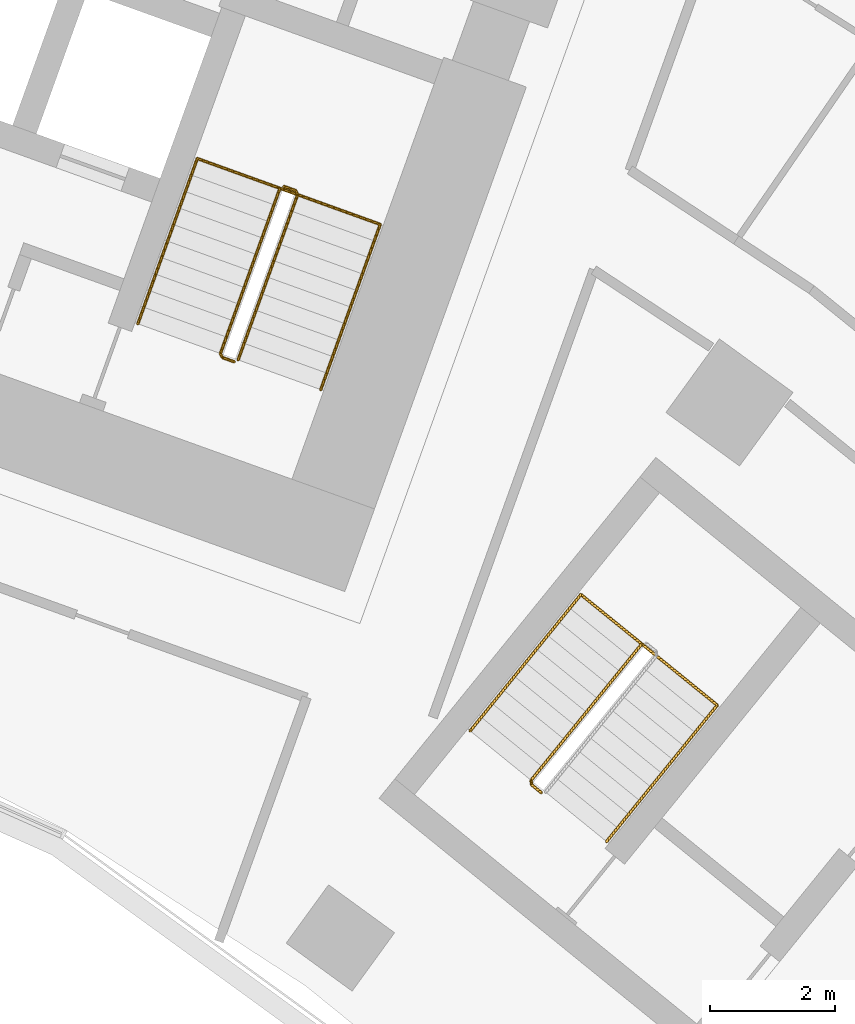
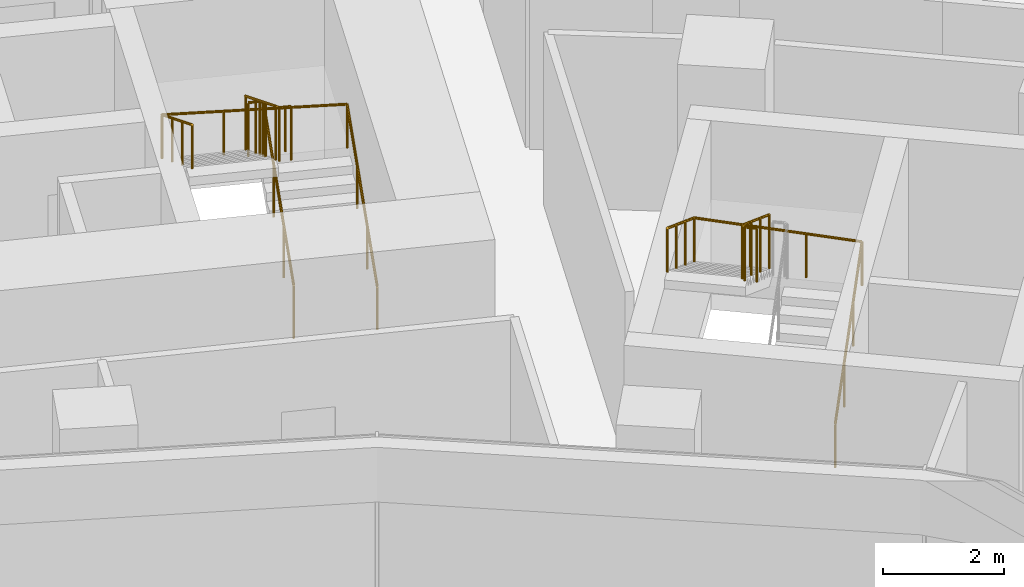
# One storey, part 21 of 21: 5 railings.
"""IFC4 building model written with IfcOpenShell, lengths in metres."""

import ifcopenshell
import ifcopenshell.guid

model = None  # the IFC model being written
_history = None  # IfcOwnerHistory: only IFC2X3 demands one
_inside = {}  # id of a spatial element -> (the spatial element, [elements in it])
_under = {}  # id of a project, library or spatial element -> (it, [spatial elements below it])
_declared = {}  # id of a project -> (the project, [libraries it declares])
_typed = {}  # id of a type object -> (the type object, [elements of that type])
_made_of = {}  # id of a material, layer set ... -> (it, [elements and type objects made of it])


def new_model(schema):
    """Start an empty IFC model of exactly this schema.

    Asked for "IFC4X3", IfcOpenShell would pick the latest addendum, in which some entities
    have other attributes; the version numbers below select the first issue.
    IFC2X3 requires an IfcOwnerHistory on every rooted entity: one is made here for all.
    """
    global model, _history
    if schema == "IFC4X3":
        model = ifcopenshell.file(schema_version=(4, 3, 0, 0))
    else:
        model = ifcopenshell.file(schema=schema)
    _inside.clear()
    _under.clear()
    _declared.clear()
    _typed.clear()
    _made_of.clear()
    _history = None
    if model.schema == "IFC2X3":
        org = make("IfcOrganization", Name="unknown")
        user = make(
            "IfcPersonAndOrganization",
            ThePerson=make("IfcPerson", FamilyName="unknown"),
            TheOrganization=org,
        )
        app = make(
            "IfcApplication",
            ApplicationDeveloper=org,
            Version="unknown",
            ApplicationFullName="unknown",
            ApplicationIdentifier="unknown",
        )
        _history = make(
            "IfcOwnerHistory",
            OwningUser=user,
            OwningApplication=app,
            ChangeAction="ADDED",
            CreationDate=0,
        )
    return model


def make(cls, **values):
    """One entity of the class cls with the attributes given. An attribute that is None is left unset."""
    return model.create_entity(
        cls, **{name: value for name, value in values.items() if value is not None}
    )


def rooted(cls, **values):
    """An entity with a GlobalId (a new one), such as an element, a storey or a relation."""
    return make(cls, GlobalId=ifcopenshell.guid.new(), OwnerHistory=_history, **values)


def si_unit(unit_type, name, prefix=None):
    """IfcSIUnit, for example si_unit("LENGTHUNIT", "METRE", prefix="MILLI")."""
    return make("IfcSIUnit", UnitType=unit_type, Prefix=prefix, Name=name)


def assignment(units):
    """IfcUnitAssignment: the units of a project."""
    return None if units is None else make("IfcUnitAssignment", Units=units)


def point(xyz):
    """IfcCartesianPoint."""
    return None if xyz is None else make("IfcCartesianPoint", Coordinates=xyz)


def direction(xyz):
    """IfcDirection."""
    return None if xyz is None else make("IfcDirection", DirectionRatios=xyz)


def frame(location, z_axis=None, x_axis=None):
    """IfcAxis2Placement3D, a coordinate frame: its origin and axes. An axis left out is left unset."""
    return make(
        "IfcAxis2Placement3D",
        Location=point(location),
        Axis=direction(z_axis),
        RefDirection=direction(x_axis),
    )


def frame_2d(location, x_axis=None):
    """IfcAxis2Placement2D, a coordinate frame in the plane: its origin and x axis."""
    return make(
        "IfcAxis2Placement2D", Location=point(location), RefDirection=direction(x_axis)
    )


def origin():
    """The frame at (0, 0, 0) with its axes left unset."""
    return frame((0.0, 0.0, 0.0))


def origin_2d():
    """The frame at (0, 0) in the plane with its x axis left unset."""
    return frame_2d((0.0, 0.0))


def place(relative_to, where):
    """IfcLocalPlacement: puts the frame where relative to a parent placement (None: the world)."""
    return make(
        "IfcLocalPlacement", PlacementRelTo=relative_to, RelativePlacement=where
    )


def context(
    kind, dimensions, precision=None, world=None, true_north=None, identifier=None
):
    """IfcGeometricRepresentationContext, for example the 3D "Model" context."""
    return make(
        "IfcGeometricRepresentationContext",
        ContextIdentifier=identifier,
        ContextType=kind,
        CoordinateSpaceDimension=dimensions,
        Precision=precision,
        WorldCoordinateSystem=world,
        TrueNorth=true_north,
    )


def subcontext(parent, identifier, kind, view, scale=None):
    """IfcGeometricRepresentationSubContext, for example "Body" below "Model"."""
    return make(
        "IfcGeometricRepresentationSubContext",
        ContextIdentifier=identifier,
        ContextType=kind,
        ParentContext=parent,
        TargetScale=scale,
        TargetView=view,
    )


def project(units=None, contexts=None):
    """IfcProject with its units and contexts."""
    return rooted(
        "IfcProject",
        Name="project",
        RepresentationContexts=contexts,
        UnitsInContext=assignment(units),
    )


def spatial(cls, under=None, at=None, **own):
    """A site, building, storey or space (cls), placed at a placement, below another one or the project."""
    s = rooted(cls, ObjectPlacement=at, **own)
    if under is not None:
        _under.setdefault(under.id(), (under, []))[1].append(s)
    return s


def profile(cls, at=None, kind="AREA", **sizes):
    """A parametric profile (cls). Its sizes go by their IFC names, for example OverallWidth=200.0."""
    return make(cls, ProfileType=kind, Position=at, **sizes)


def circle(**sizes):
    """IfcCircleProfileDef."""
    return profile("IfcCircleProfileDef", **sizes)


def extrude(swept, where, along, depth):
    """IfcExtrudedAreaSolid: the profile swept, set in the frame where, extruded along a direction by depth."""
    return make(
        "IfcExtrudedAreaSolid",
        SweptArea=swept,
        Position=where,
        ExtrudedDirection=direction(along),
        Depth=depth,
    )


def shape(context_of_items, identifier, shape_type, items):
    """IfcShapeRepresentation: the items that make up one representation, for example the "Body"."""
    return make(
        "IfcShapeRepresentation",
        ContextOfItems=context_of_items,
        RepresentationIdentifier=identifier,
        RepresentationType=shape_type,
        Items=items,
    )


def material(Name=None, Category=None):
    """IfcMaterial."""
    return make("IfcMaterial", Name=Name, Category=Category)


def made_of(thing, what):
    """Note that an element or type object is made of a material, layer set ...; save() writes the relation."""
    if what is not None:
        _made_of.setdefault(what.id(), (what, []))[1].append(thing)
    return thing


def type_object(cls, material=None, **own):
    """A type object (cls), such as IfcWallType, which elements share."""
    return made_of(rooted(cls, **own), material)


def element(
    cls,
    number,
    at=None,
    inside=None,
    cuts=None,
    type_object=None,
    material=None,
    context=None,
    identifier="Body",
    shape_type=None,
    held_by="IfcProductDefinitionShape",
    body=None,
    shapes=None,
    **own,
):
    """One element of the class cls, such as IfcWall. Its Tag is "e" and its number.

    at: its placement. inside: the storey or other place that contains it. cuts: it is an
    opening in that element (IfcRelVoidsElement). A single representation is given by context,
    identifier, shape_type and body (its items); several are given by shapes. held_by: the class
    of the entity that holds the representations. save() writes the other relations.
    """
    e = rooted(cls, Tag="e%d" % number, ObjectPlacement=at, **own)
    if body is not None:
        shapes = [shape(context, identifier, shape_type, body)]
    if shapes is not None:
        e.Representation = make(held_by, Representations=shapes)
    if inside is not None:
        _inside.setdefault(inside.id(), (inside, []))[1].append(e)
    if cuts is not None:
        rooted(
            "IfcRelVoidsElement", RelatingBuildingElement=cuts, RelatedOpeningElement=e
        )
    if type_object is not None:
        _typed.setdefault(type_object.id(), (type_object, []))[1].append(e)
    return made_of(e, material)


def aggregate(whole, parts):
    """IfcRelAggregates: a whole, such as a stair, and the parts it consists of."""
    return rooted("IfcRelAggregates", RelatingObject=whole, RelatedObjects=parts)


def save(model, path):
    """Write the relations noted so far, then the file.

    IfcRelAggregates (storeys below a building ...), IfcRelContainedInSpatialStructure (elements
    in a storey), IfcRelDefinesByType, IfcRelAssociatesMaterial and IfcRelDeclares: one each for
    every whole, place, type object, material and project.
    """
    for whole, parts in _under.values():
        aggregate(whole, parts)
    for where, things in _inside.values():
        rooted(
            "IfcRelContainedInSpatialStructure",
            RelatedElements=things,
            RelatingStructure=where,
        )
    for kind, things in _typed.values():
        rooted("IfcRelDefinesByType", RelatedObjects=things, RelatingType=kind)
    for what, things in _made_of.values():
        rooted("IfcRelAssociatesMaterial", RelatedObjects=things, RelatingMaterial=what)
    for by, libraries in _declared.values():
        rooted("IfcRelDeclares", RelatingContext=by, RelatedDefinitions=libraries)
    model.write(path)


model = new_model("IFC4")

# Units and contexts
model_context = context("Model", 3, precision=1e-05, world=origin(), true_north=direction((0.0, 1.0)))
body_context = subcontext(model_context, "Body", "Model", "MODEL_VIEW")
ifc_project = project(units=[si_unit("LENGTHUNIT", "METRE"), si_unit("AREAUNIT", "SQUARE_METRE"), si_unit("VOLUMEUNIT", "CUBIC_METRE"), si_unit("PLANEANGLEUNIT", "RADIAN"), si_unit("MASSUNIT", "GRAM", prefix="KILO")], contexts=[model_context])

# Site, building, storey
site_placement = place(None, origin())
site = spatial("IfcSite", under=ifc_project, at=site_placement, CompositionType="ELEMENT")
building_placement = place(site_placement, origin())
building = spatial("IfcBuilding", under=site, at=building_placement, Name="Stone Belt Terrace Tower", CompositionType="ELEMENT")
storey_placement = place(building_placement, frame((0.0, 0.0, 113.60009765625)))
storey = spatial("IfcBuildingStorey", under=building, at=storey_placement, Name="L27", CompositionType="ELEMENT", Elevation=113.60009765625)

# Railings
ifc_material = material(Name="Structural steel C345", Category="steel")
railing_type_1 = type_object("IfcRailingType", Name="Stair guard 1100", PredefinedType="GUARDRAIL", material=ifc_material)
railing_1_placement = place(storey_placement, frame((24.494140625, 45.174560546875, 0.172607421875)))
element("IfcRailing", 1, at=railing_1_placement, inside=storey, type_object=railing_type_1, Name="L27 ST1B stair guard 1", PredefinedType="GUARDRAIL", context=body_context, shape_type="SweptSolid", body=[
    extrude(circle(Radius=0.02392578125, at=origin_2d()), frame((0.0, 0.0, 1.076171875), z_axis=(0.288228637646, 0.800791768495, 0.525030280985), x_axis=(-0.940908529223, 0.338660803216, 0.0)), (0.0, 0.0, 1.0), 3.289794921875),
    extrude(circle(Radius=0.02392578125, at=origin_2d()), frame((0.9482421875, 2.634521484375, 2.80322265625), z_axis=(-0.424964916, 0.905209821074, 0.0), x_axis=(-0.905209821074, -0.424964916, 0.0)), (0.0, 0.0, 1.0), 0.070556640625),
    extrude(circle(Radius=0.02392578125, at=origin_2d()), frame((0.918212890625, 2.698486328125, 2.80322265625), z_axis=(-0.941105063269, 0.338114270461, 0.0), x_axis=(-0.338114270461, -0.941105063269, 0.0)), (0.0, 0.0, 1.0), 0.199951171875),
    extrude(circle(Radius=0.02099609375, at=origin_2d()), origin(), (0.0, 0.0, 1.0), 1.052001953125),
    extrude(circle(Radius=0.02099609375, at=origin_2d()), frame((0.316162109375, 0.878173828125, 0.57568359375)), (0.0, 0.0, 1.0), 1.052001953125),
    extrude(circle(Radius=0.02099609375, at=origin_2d()), frame((0.632080078125, 1.75634765625, 1.151611328125)), (0.0, 0.0, 1.0), 1.052001953125),
    extrude(circle(Radius=0.02099609375, at=origin_2d()), frame((0.9482421875, 2.634521484375, 1.727294921875)), (0.0, 0.0, 1.0), 1.052001953125),
    extrude(circle(Radius=0.02099609375, at=origin_2d()), frame((0.918212890625, 2.698486328125, 1.727294921875)), (0.0, 0.0, 1.0), 1.052001953125),
    extrude(circle(Radius=0.02099609375, at=origin_2d()), frame((0.72998046875, 2.76611328125, 1.727294921875)), (0.0, 0.0, 1.0), 1.052001953125),
])
railing_2_placement = place(storey_placement, frame((25.16015625, 47.91064453125, 2.072509765625)))
element("IfcRailing", 2, at=railing_2_placement, inside=storey, type_object=railing_type_1, Name="L27 ST1B stair guard 2", PredefinedType="GUARDRAIL", context=body_context, shape_type="SweptSolid", body=[
    extrude(circle(Radius=0.02392578125, at=origin_2d()), frame((0.0, 0.0, 1.076171875), z_axis=(-0.288228637646, -0.800791768495, 0.525030280985), x_axis=(0.940908529223, -0.338660803216, 0.0)), (0.0, 0.0, 1.0), 3.289794921875),
    extrude(circle(Radius=0.02392578125, at=origin_2d()), frame((-0.9482421875, -2.634521484375, 2.80322265625), z_axis=(0.427789722475, -0.903878284585, 0.0), x_axis=(0.903878284585, 0.427789722475, 0.0)), (0.0, 0.0, 1.0), 0.07080078125),
    extrude(circle(Radius=0.02392578125, at=origin_2d()), frame((-0.91796875, -2.698486328125, 2.80322265625), z_axis=(0.940575576748, -0.339584429008, 0.0), x_axis=(0.339584429008, 0.940575576748, 0.0)), (0.0, 0.0, 1.0), 0.199951171875),
    extrude(circle(Radius=0.02099609375, at=origin_2d()), origin(), (0.0, 0.0, 1.0), 1.052001953125),
    extrude(circle(Radius=0.02099609375, at=origin_2d()), frame((-0.316162109375, -0.878173828125, 0.57568359375)), (0.0, 0.0, 1.0), 1.052001953125),
    extrude(circle(Radius=0.02099609375, at=origin_2d()), frame((-0.632080078125, -1.75634765625, 1.151611328125)), (0.0, 0.0, 1.0), 1.052001953125),
    extrude(circle(Radius=0.02099609375, at=origin_2d()), frame((-0.9482421875, -2.634521484375, 1.727294921875)), (0.0, 0.0, 1.0), 1.052001953125),
    extrude(circle(Radius=0.02099609375, at=origin_2d()), frame((-0.91796875, -2.698486328125, 1.727294921875)), (0.0, 0.0, 1.0), 1.052001953125),
    extrude(circle(Radius=0.02099609375, at=origin_2d()), frame((-0.72998046875, -2.766357421875, 1.727294921875)), (0.0, 0.0, 1.0), 1.052001953125),
])
railing_3_placement = place(storey_placement, frame((30.9296875, 40.64501953125, 2.072509765625)))
element("IfcRailing", 3, at=railing_3_placement, inside=storey, type_object=railing_type_1, Name="L27 ST3B stair guard 2", PredefinedType="GUARDRAIL", context=body_context, shape_type="SweptSolid", body=[
    extrude(circle(Radius=0.02392578125, at=origin_2d()), frame((0.0, 0.0, 1.076171875), z_axis=(-0.536366759382, -0.660811565066, 0.525013118792), x_axis=(0.776425942316, -0.630208502084, 0.0)), (0.0, 0.0, 1.0), 3.2900390625),
    extrude(circle(Radius=0.02392578125, at=origin_2d()), frame((-1.7646484375, -2.174072265625, 2.80322265625), z_axis=(0.103606084259, -0.994618408891, 0.0), x_axis=(0.994618408891, 0.103606084259, 0.0)), (0.0, 0.0, 1.0), 0.07080078125),
    extrude(circle(Radius=0.02392578125, at=origin_2d()), frame((-1.75732421875, -2.244384765625, 2.80322265625), z_axis=(0.776561986372, -0.630040856868, 0.0), x_axis=(0.630040856868, 0.776561986372, 0.0)), (0.0, 0.0, 1.0), 0.199951171875),
    extrude(circle(Radius=0.02099609375, at=origin_2d()), origin(), (0.0, 0.0, 1.0), 1.052001953125),
    extrude(circle(Radius=0.02099609375, at=origin_2d()), frame((-0.588134765625, -0.724609375, 0.57568359375)), (0.0, 0.0, 1.0), 1.052001953125),
    extrude(circle(Radius=0.02099609375, at=origin_2d()), frame((-1.176513671875, -1.449462890625, 1.151611328125)), (0.0, 0.0, 1.0), 1.052001953125),
    extrude(circle(Radius=0.02099609375, at=origin_2d()), frame((-1.7646484375, -2.174072265625, 1.727294921875)), (0.0, 0.0, 1.0), 1.052001953125),
    extrude(circle(Radius=0.02099609375, at=origin_2d()), frame((-1.75732421875, -2.244384765625, 1.727294921875)), (0.0, 0.0, 1.0), 1.052001953125),
    extrude(circle(Radius=0.02099609375, at=origin_2d()), frame((-1.60205078125, -2.370361328125, 1.727294921875)), (0.0, 0.0, 1.0), 1.052001953125),
])
railing_type_2 = type_object("IfcRailingType", Name="Stair handrail 900", PredefinedType="HANDRAIL", material=ifc_material)
railing_4_placement = place(storey_placement, frame((25.8115234375, 44.700439453125, 0.172607421875)))
element("IfcRailing", 4, at=railing_4_placement, inside=storey, type_object=railing_type_2, Name="L27 ST1B stair handrail 1", PredefinedType="HANDRAIL", context=body_context, shape_type="SweptSolid", body=[
    extrude(circle(Radius=0.02392578125, at=origin_2d()), frame((0.0, 0.0, 0.8759765625), z_axis=(0.288228637646, 0.800791768495, 0.525030280985), x_axis=(-0.940908529223, 0.338660803216, 0.0)), (0.0, 0.0, 1.0), 3.289794921875),
    extrude(circle(Radius=0.02392578125, at=origin_2d()), frame((0.9482421875, 2.634521484375, 2.60302734375), z_axis=(-0.939464517435, 0.338106580597, 0.055591012205), x_axis=(-0.338630230244, -0.940919532779, 0.0)), (0.0, 0.0, 1.0), 3.10498046875),
    extrude(circle(Radius=0.02392578125, at=origin_2d()), frame((-1.96875, 3.684326171875, 2.77587890625), z_axis=(-0.288160591223, -0.800808895155, 0.52504150989), x_axis=(0.940936311087, -0.338583606334, 0.0)), (0.0, 0.0, 1.0), 3.289794921875),
    extrude(circle(Radius=0.02099609375, at=origin_2d()), origin(), (0.0, 0.0, 1.0), 0.851806640625),
    extrude(circle(Radius=0.02099609375, at=origin_2d()), frame((0.316162109375, 0.878173828125, 0.57568359375)), (0.0, 0.0, 1.0), 0.851806640625),
    extrude(circle(Radius=0.02099609375, at=origin_2d()), frame((0.632080078125, 1.75634765625, 1.151611328125)), (0.0, 0.0, 1.0), 0.851806640625),
    extrude(circle(Radius=0.02099609375, at=origin_2d()), frame((0.9482421875, 2.634521484375, 1.727294921875)), (0.0, 0.0, 1.0), 0.851806640625),
    extrude(circle(Radius=0.02099609375, at=origin_2d()), frame((-0.024169921875, 2.984375, 1.784912109375)), (0.0, 0.0, 1.0), 0.851806640625),
    extrude(circle(Radius=0.02099609375, at=origin_2d()), frame((-0.996337890625, 3.33447265625, 1.84228515625)), (0.0, 0.0, 1.0), 0.851806640625),
    extrude(circle(Radius=0.02099609375, at=origin_2d()), frame((-1.96875, 3.684326171875, 1.89990234375)), (0.0, 0.0, 1.0), 0.851806640625),
    extrude(circle(Radius=0.02099609375, at=origin_2d()), frame((-2.28466796875, 2.80615234375, 2.4755859375)), (0.0, 0.0, 1.0), 0.851806640625),
    extrude(circle(Radius=0.02099609375, at=origin_2d()), frame((-2.600830078125, 1.927978515625, 3.051513671875)), (0.0, 0.0, 1.0), 0.851806640625),
    extrude(circle(Radius=0.02099609375, at=origin_2d()), frame((-2.916748046875, 1.0498046875, 3.627197265625)), (0.0, 0.0, 1.0), 0.851806640625),
])
railing_5_placement = place(storey_placement, frame((30.36865234375, 37.494140625, 0.172607421875)))
element("IfcRailing", 5, at=railing_5_placement, inside=storey, type_object=railing_type_2, Name="L27 ST3B stair handrail 1", PredefinedType="HANDRAIL", context=body_context, shape_type="SweptSolid", body=[
    extrude(circle(Radius=0.02392578125, at=origin_2d()), frame((0.0, 0.0, 0.8759765625), z_axis=(0.536366759382, 0.660811565066, 0.525013118792), x_axis=(-0.776425942316, 0.630208502084, 0.0)), (0.0, 0.0, 1.0), 3.2900390625),
    extrude(circle(Radius=0.02392578125, at=origin_2d()), frame((1.7646484375, 2.174072265625, 2.60302734375), z_axis=(-0.774954966459, 0.629014542119, 0.061526463929), x_axis=(-0.630208502084, -0.776425942316, 0.0)), (0.0, 0.0, 1.0), 2.805419921875),
    extrude(circle(Radius=0.02392578125, at=origin_2d()), frame((-0.409423828125, 3.938720703125, 2.77587890625), z_axis=(-0.536366759382, -0.660811565066, 0.525013118792), x_axis=(0.776425942316, -0.630208502084, 0.0)), (0.0, 0.0, 1.0), 3.2900390625),
    extrude(circle(Radius=0.02099609375, at=origin_2d()), origin(), (0.0, 0.0, 1.0), 0.851806640625),
    extrude(circle(Radius=0.02099609375, at=origin_2d()), frame((0.588134765625, 0.724609375, 0.57568359375)), (0.0, 0.0, 1.0), 0.851806640625),
    extrude(circle(Radius=0.02099609375, at=origin_2d()), frame((1.176513671875, 1.449462890625, 1.151611328125)), (0.0, 0.0, 1.0), 0.851806640625),
    extrude(circle(Radius=0.02099609375, at=origin_2d()), frame((1.7646484375, 2.174072265625, 1.727294921875)), (0.0, 0.0, 1.0), 0.851806640625),
    extrude(circle(Radius=0.02099609375, at=origin_2d()), frame((1.0400390625, 2.76220703125, 1.784912109375)), (0.0, 0.0, 1.0), 0.851806640625),
    extrude(circle(Radius=0.02099609375, at=origin_2d()), frame((0.315185546875, 3.3505859375, 1.84228515625)), (0.0, 0.0, 1.0), 0.851806640625),
    extrude(circle(Radius=0.02099609375, at=origin_2d()), frame((-0.409423828125, 3.938720703125, 1.89990234375)), (0.0, 0.0, 1.0), 0.851806640625),
    extrude(circle(Radius=0.02099609375, at=origin_2d()), frame((-0.99755859375, 3.214111328125, 2.4755859375)), (0.0, 0.0, 1.0), 0.851806640625),
    extrude(circle(Radius=0.02099609375, at=origin_2d()), frame((-1.5859375, 2.4892578125, 3.051513671875)), (0.0, 0.0, 1.0), 0.851806640625),
    extrude(circle(Radius=0.02099609375, at=origin_2d()), frame((-2.174072265625, 1.7646484375, 3.627197265625)), (0.0, 0.0, 1.0), 0.851806640625),
])

save(model, "model.ifc")
